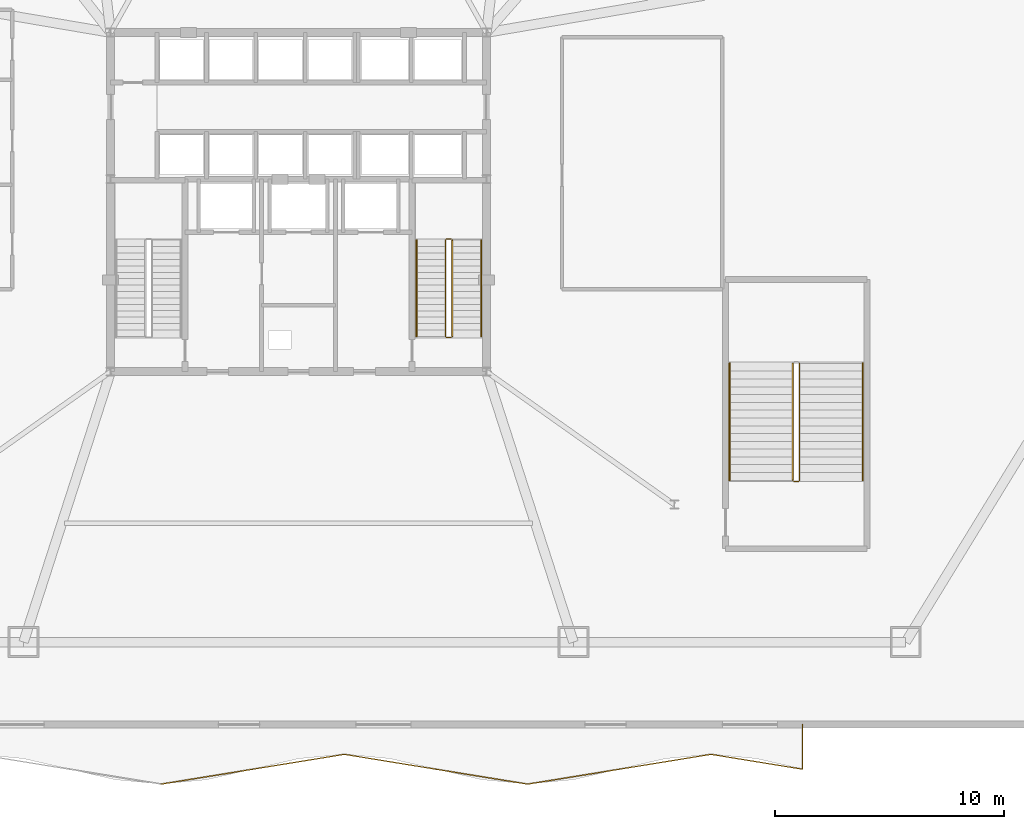
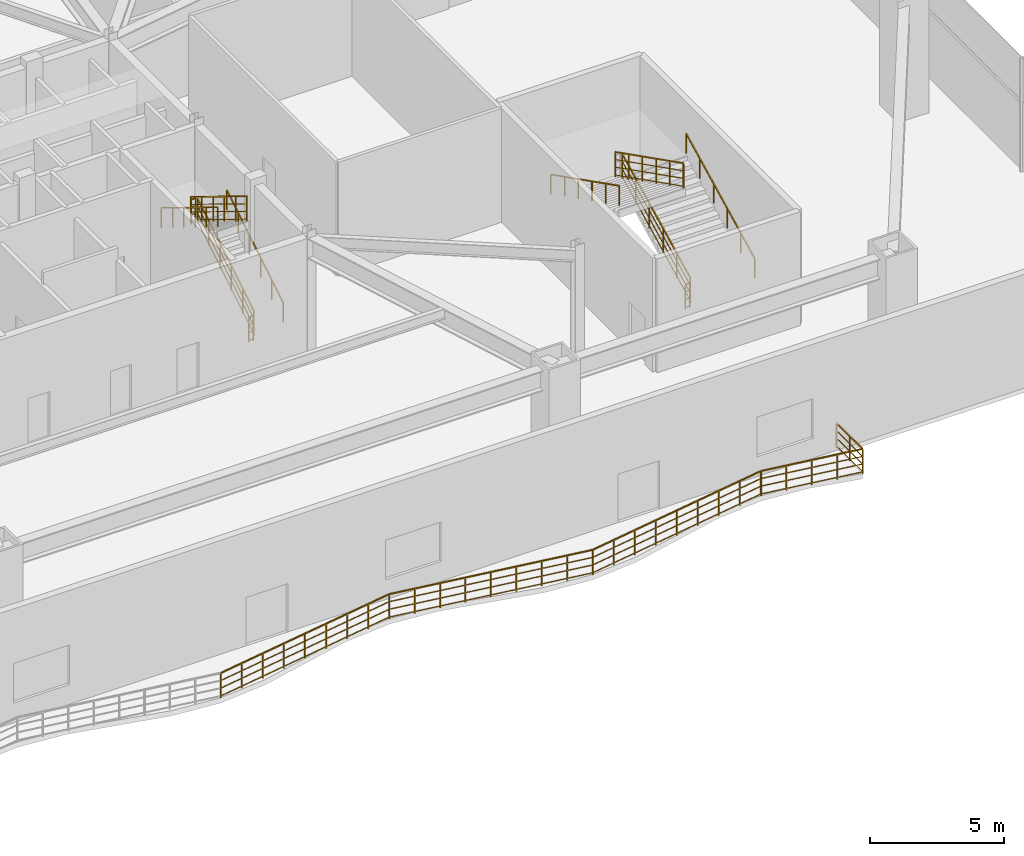
# One storey, part 17 of 20: 19 railings.
"""IFC4 building model written with IfcOpenShell, lengths in metres."""

from ifc_helpers import new_model, si_unit, direction, frame, origin, origin_2d, place, context, subcontext, project, spatial, rectangle, extrude, material, type_object, element, save


model = new_model("IFC4")

# Units and contexts
model_context = context("Model", 3, precision=1e-05, world=origin(), true_north=direction((0.0, 1.0)))
body_context = subcontext(model_context, "Body", "Model", "MODEL_VIEW")
ifc_project = project(units=[si_unit("LENGTHUNIT", "METRE"), si_unit("AREAUNIT", "SQUARE_METRE"), si_unit("VOLUMEUNIT", "CUBIC_METRE"), si_unit("PLANEANGLEUNIT", "RADIAN"), si_unit("MASSUNIT", "GRAM", prefix="KILO")], contexts=[model_context])

# Site, building, storey
site_placement = place(None, origin())
site = spatial("IfcSite", under=ifc_project, at=site_placement, CompositionType="ELEMENT")
building_placement = place(site_placement, origin())
building = spatial("IfcBuilding", under=site, at=building_placement, Name="Varakhsha Concourse Tower", CompositionType="ELEMENT")
storey_placement = place(building_placement, frame((0.0, 0.0, 11.0)))
storey = spatial("IfcBuildingStorey", under=building, at=storey_placement, Name="L03", CompositionType="ELEMENT", Elevation=11.0)

# Railings
ifc_material_1 = material(Name="Laminated Structural Low-Iron Glass 52 mm", Category="glass")
railing_type_1 = type_object("IfcRailingType", Name="RL-BALUSTRADE-1150", PredefinedType="BALUSTRADE", material=ifc_material_1)
railing_1_placement = place(storey_placement, frame((34.0, -1.60009765625, 0.0)))
element("IfcRailing", 1, at=railing_1_placement, inside=storey, type_object=railing_type_1, Name="L03 Perimeter Safety Balustrade RL-WAVE-L03-07", PredefinedType="BALUSTRADE", context=body_context, shape_type="SweptSolid", body=[
    extrude(rectangle(XDim=0.048095703125, YDim=0.048095703125, at=origin_2d()), frame((0.0, 0.0, 1.1259765625), z_axis=(0.987047011266, 0.160431286072, 0.0), x_axis=(-0.160431286072, 0.987047011266, 0.0)), (0.0, 0.0, 1.0), 4.052490234375),
    extrude(rectangle(XDim=0.028076171875, YDim=0.028076171875, at=origin_2d()), frame((0.0, 0.0, 0.080078125), z_axis=(0.987047011266, 0.160431286072, 0.0), x_axis=(-0.160431286072, 0.987047011266, 0.0)), (0.0, 0.0, 1.0), 4.052490234375),
    extrude(rectangle(XDim=0.028076171875, YDim=0.028076171875, at=origin_2d()), frame((0.0, 0.0, 0.43701171875), z_axis=(0.987047011266, 0.160431286072, 0.0), x_axis=(-0.160431286072, 0.987047011266, 0.0)), (0.0, 0.0, 1.0), 4.052490234375),
    extrude(rectangle(XDim=0.028076171875, YDim=0.028076171875, at=origin_2d()), frame((0.0, 0.0, 0.781982421875), z_axis=(0.987047011266, 0.160431286072, 0.0), x_axis=(-0.160431286072, 0.987047011266, 0.0)), (0.0, 0.0, 1.0), 4.052490234375),
    extrude(rectangle(XDim=0.0419921875, YDim=0.0419921875, at=origin_2d()), origin(), (0.0, 0.0, 1.0), 1.101806640625),
    extrude(rectangle(XDim=0.0419921875, YDim=0.0419921875, at=origin_2d()), frame((1.0, 0.16259765625, 0.0)), (0.0, 0.0, 1.0), 1.101806640625),
    extrude(rectangle(XDim=0.0419921875, YDim=0.0419921875, at=origin_2d()), frame((2.0, 0.3251953125, 0.0)), (0.0, 0.0, 1.0), 1.101806640625),
    extrude(rectangle(XDim=0.0419921875, YDim=0.0419921875, at=origin_2d()), frame((3.0, 0.487548828125, 0.0)), (0.0, 0.0, 1.0), 1.101806640625),
    extrude(rectangle(XDim=0.0419921875, YDim=0.0419921875, at=origin_2d()), frame((4.0, 0.650146484375, 0.0)), (0.0, 0.0, 1.0), 1.101806640625),
])
railing_2_placement = place(storey_placement, frame((38.0, -0.949951171875, 0.0)))
element("IfcRailing", 2, at=railing_2_placement, inside=storey, type_object=railing_type_1, Name="L03 Perimeter Safety Balustrade RL-WAVE-L03-08", PredefinedType="BALUSTRADE", context=body_context, shape_type="SweptSolid", body=[
    extrude(rectangle(XDim=0.048095703125, YDim=0.048095703125, at=origin_2d()), frame((0.0, 0.0, 1.1259765625), z_axis=(0.987056549535, 0.160372591239, 0.0), x_axis=(-0.160372591239, 0.987056549535, 0.0)), (0.0, 0.0, 1.0), 4.052490234375),
    extrude(rectangle(XDim=0.028076171875, YDim=0.028076171875, at=origin_2d()), frame((0.0, 0.0, 0.080078125), z_axis=(0.987056549535, 0.160372591239, 0.0), x_axis=(-0.160372591239, 0.987056549535, 0.0)), (0.0, 0.0, 1.0), 4.052490234375),
    extrude(rectangle(XDim=0.028076171875, YDim=0.028076171875, at=origin_2d()), frame((0.0, 0.0, 0.43701171875), z_axis=(0.987056549535, 0.160372591239, 0.0), x_axis=(-0.160372591239, 0.987056549535, 0.0)), (0.0, 0.0, 1.0), 4.052490234375),
    extrude(rectangle(XDim=0.028076171875, YDim=0.028076171875, at=origin_2d()), frame((0.0, 0.0, 0.781982421875), z_axis=(0.987056549535, 0.160372591239, 0.0), x_axis=(-0.160372591239, 0.987056549535, 0.0)), (0.0, 0.0, 1.0), 4.052490234375),
    extrude(rectangle(XDim=0.0419921875, YDim=0.0419921875, at=origin_2d()), origin(), (0.0, 0.0, 1.0), 1.101806640625),
    extrude(rectangle(XDim=0.0419921875, YDim=0.0419921875, at=origin_2d()), frame((1.0, 0.16259765625, 0.0)), (0.0, 0.0, 1.0), 1.101806640625),
    extrude(rectangle(XDim=0.0419921875, YDim=0.0419921875, at=origin_2d()), frame((2.0, 0.324951171875, 0.0)), (0.0, 0.0, 1.0), 1.101806640625),
    extrude(rectangle(XDim=0.0419921875, YDim=0.0419921875, at=origin_2d()), frame((3.0, 0.4873046875, 0.0)), (0.0, 0.0, 1.0), 1.101806640625),
    extrude(rectangle(XDim=0.0419921875, YDim=0.0419921875, at=origin_2d()), frame((4.0, 0.64990234375, 0.0)), (0.0, 0.0, 1.0), 1.101806640625),
])
railing_3_placement = place(storey_placement, frame((42.0, -0.300048828125, 0.0)))
element("IfcRailing", 3, at=railing_3_placement, inside=storey, type_object=railing_type_1, Name="L03 Perimeter Safety Balustrade RL-WAVE-L03-09", PredefinedType="BALUSTRADE", context=body_context, shape_type="SweptSolid", body=[
    extrude(rectangle(XDim=0.048095703125, YDim=0.048095703125, at=origin_2d()), frame((0.0, 0.0, 1.1259765625), z_axis=(0.987056549535, -0.160372591239, 0.0), x_axis=(0.160372591239, 0.987056549535, 0.0)), (0.0, 0.0, 1.0), 4.052490234375),
    extrude(rectangle(XDim=0.028076171875, YDim=0.028076171875, at=origin_2d()), frame((0.0, 0.0, 0.080078125), z_axis=(0.987056549535, -0.160372591239, 0.0), x_axis=(0.160372591239, 0.987056549535, 0.0)), (0.0, 0.0, 1.0), 4.052490234375),
    extrude(rectangle(XDim=0.028076171875, YDim=0.028076171875, at=origin_2d()), frame((0.0, 0.0, 0.43701171875), z_axis=(0.987056549535, -0.160372591239, 0.0), x_axis=(0.160372591239, 0.987056549535, 0.0)), (0.0, 0.0, 1.0), 4.052490234375),
    extrude(rectangle(XDim=0.028076171875, YDim=0.028076171875, at=origin_2d()), frame((0.0, 0.0, 0.781982421875), z_axis=(0.987056549535, -0.160372591239, 0.0), x_axis=(0.160372591239, 0.987056549535, 0.0)), (0.0, 0.0, 1.0), 4.052490234375),
    extrude(rectangle(XDim=0.0419921875, YDim=0.0419921875, at=origin_2d()), origin(), (0.0, 0.0, 1.0), 1.101806640625),
    extrude(rectangle(XDim=0.0419921875, YDim=0.0419921875, at=origin_2d()), frame((1.0, -0.16259765625, 0.0)), (0.0, 0.0, 1.0), 1.101806640625),
    extrude(rectangle(XDim=0.0419921875, YDim=0.0419921875, at=origin_2d()), frame((2.0, -0.324951171875, 0.0)), (0.0, 0.0, 1.0), 1.101806640625),
    extrude(rectangle(XDim=0.0419921875, YDim=0.0419921875, at=origin_2d()), frame((3.0, -0.4873046875, 0.0)), (0.0, 0.0, 1.0), 1.101806640625),
    extrude(rectangle(XDim=0.0419921875, YDim=0.0419921875, at=origin_2d()), frame((4.0, -0.64990234375, 0.0)), (0.0, 0.0, 1.0), 1.101806640625),
])
railing_4_placement = place(storey_placement, frame((46.0, -0.949951171875, 0.0)))
element("IfcRailing", 4, at=railing_4_placement, inside=storey, type_object=railing_type_1, Name="L03 Perimeter Safety Balustrade RL-WAVE-L03-10", PredefinedType="BALUSTRADE", context=body_context, shape_type="SweptSolid", body=[
    extrude(rectangle(XDim=0.048095703125, YDim=0.048095703125, at=origin_2d()), frame((0.0, 0.0, 1.1259765625), z_axis=(0.987047011266, -0.160431286072, 0.0), x_axis=(0.160431286072, 0.987047011266, 0.0)), (0.0, 0.0, 1.0), 4.052490234375),
    extrude(rectangle(XDim=0.028076171875, YDim=0.028076171875, at=origin_2d()), frame((0.0, 0.0, 0.080078125), z_axis=(0.987047011266, -0.160431286072, 0.0), x_axis=(0.160431286072, 0.987047011266, 0.0)), (0.0, 0.0, 1.0), 4.052490234375),
    extrude(rectangle(XDim=0.028076171875, YDim=0.028076171875, at=origin_2d()), frame((0.0, 0.0, 0.43701171875), z_axis=(0.987047011266, -0.160431286072, 0.0), x_axis=(0.160431286072, 0.987047011266, 0.0)), (0.0, 0.0, 1.0), 4.052490234375),
    extrude(rectangle(XDim=0.028076171875, YDim=0.028076171875, at=origin_2d()), frame((0.0, 0.0, 0.781982421875), z_axis=(0.987047011266, -0.160431286072, 0.0), x_axis=(0.160431286072, 0.987047011266, 0.0)), (0.0, 0.0, 1.0), 4.052490234375),
    extrude(rectangle(XDim=0.0419921875, YDim=0.0419921875, at=origin_2d()), origin(), (0.0, 0.0, 1.0), 1.101806640625),
    extrude(rectangle(XDim=0.0419921875, YDim=0.0419921875, at=origin_2d()), frame((1.0, -0.16259765625, 0.0)), (0.0, 0.0, 1.0), 1.101806640625),
    extrude(rectangle(XDim=0.0419921875, YDim=0.0419921875, at=origin_2d()), frame((2.0, -0.3251953125, 0.0)), (0.0, 0.0, 1.0), 1.101806640625),
    extrude(rectangle(XDim=0.0419921875, YDim=0.0419921875, at=origin_2d()), frame((3.0, -0.487548828125, 0.0)), (0.0, 0.0, 1.0), 1.101806640625),
    extrude(rectangle(XDim=0.0419921875, YDim=0.0419921875, at=origin_2d()), frame((4.0, -0.650146484375, 0.0)), (0.0, 0.0, 1.0), 1.101806640625),
])
railing_5_placement = place(storey_placement, frame((50.0, -1.60009765625, 0.0)))
element("IfcRailing", 5, at=railing_5_placement, inside=storey, type_object=railing_type_1, Name="L03 Perimeter Safety Balustrade RL-WAVE-L03-11", PredefinedType="BALUSTRADE", context=body_context, shape_type="SweptSolid", body=[
    extrude(rectangle(XDim=0.048095703125, YDim=0.048095703125, at=origin_2d()), frame((0.0, 0.0, 1.1259765625), z_axis=(0.987047011266, 0.160431286072, 0.0), x_axis=(-0.160431286072, 0.987047011266, 0.0)), (0.0, 0.0, 1.0), 4.052490234375),
    extrude(rectangle(XDim=0.028076171875, YDim=0.028076171875, at=origin_2d()), frame((0.0, 0.0, 0.080078125), z_axis=(0.987047011266, 0.160431286072, 0.0), x_axis=(-0.160431286072, 0.987047011266, 0.0)), (0.0, 0.0, 1.0), 4.052490234375),
    extrude(rectangle(XDim=0.028076171875, YDim=0.028076171875, at=origin_2d()), frame((0.0, 0.0, 0.43701171875), z_axis=(0.987047011266, 0.160431286072, 0.0), x_axis=(-0.160431286072, 0.987047011266, 0.0)), (0.0, 0.0, 1.0), 4.052490234375),
    extrude(rectangle(XDim=0.028076171875, YDim=0.028076171875, at=origin_2d()), frame((0.0, 0.0, 0.781982421875), z_axis=(0.987047011266, 0.160431286072, 0.0), x_axis=(-0.160431286072, 0.987047011266, 0.0)), (0.0, 0.0, 1.0), 4.052490234375),
    extrude(rectangle(XDim=0.0419921875, YDim=0.0419921875, at=origin_2d()), origin(), (0.0, 0.0, 1.0), 1.101806640625),
    extrude(rectangle(XDim=0.0419921875, YDim=0.0419921875, at=origin_2d()), frame((1.0, 0.16259765625, 0.0)), (0.0, 0.0, 1.0), 1.101806640625),
    extrude(rectangle(XDim=0.0419921875, YDim=0.0419921875, at=origin_2d()), frame((2.0, 0.3251953125, 0.0)), (0.0, 0.0, 1.0), 1.101806640625),
    extrude(rectangle(XDim=0.0419921875, YDim=0.0419921875, at=origin_2d()), frame((3.0, 0.487548828125, 0.0)), (0.0, 0.0, 1.0), 1.101806640625),
    extrude(rectangle(XDim=0.0419921875, YDim=0.0419921875, at=origin_2d()), frame((4.0, 0.650146484375, 0.0)), (0.0, 0.0, 1.0), 1.101806640625),
])
railing_6_placement = place(storey_placement, frame((54.0, -0.949951171875, 0.0)))
element("IfcRailing", 6, at=railing_6_placement, inside=storey, type_object=railing_type_1, Name="L03 Perimeter Safety Balustrade RL-WAVE-L03-12", PredefinedType="BALUSTRADE", context=body_context, shape_type="SweptSolid", body=[
    extrude(rectangle(XDim=0.048095703125, YDim=0.048095703125, at=origin_2d()), frame((0.0, 0.0, 1.1259765625), z_axis=(0.987056549535, 0.160372591239, 0.0), x_axis=(-0.160372591239, 0.987056549535, 0.0)), (0.0, 0.0, 1.0), 4.052490234375),
    extrude(rectangle(XDim=0.028076171875, YDim=0.028076171875, at=origin_2d()), frame((0.0, 0.0, 0.080078125), z_axis=(0.987056549535, 0.160372591239, 0.0), x_axis=(-0.160372591239, 0.987056549535, 0.0)), (0.0, 0.0, 1.0), 4.052490234375),
    extrude(rectangle(XDim=0.028076171875, YDim=0.028076171875, at=origin_2d()), frame((0.0, 0.0, 0.43701171875), z_axis=(0.987056549535, 0.160372591239, 0.0), x_axis=(-0.160372591239, 0.987056549535, 0.0)), (0.0, 0.0, 1.0), 4.052490234375),
    extrude(rectangle(XDim=0.028076171875, YDim=0.028076171875, at=origin_2d()), frame((0.0, 0.0, 0.781982421875), z_axis=(0.987056549535, 0.160372591239, 0.0), x_axis=(-0.160372591239, 0.987056549535, 0.0)), (0.0, 0.0, 1.0), 4.052490234375),
    extrude(rectangle(XDim=0.0419921875, YDim=0.0419921875, at=origin_2d()), origin(), (0.0, 0.0, 1.0), 1.101806640625),
    extrude(rectangle(XDim=0.0419921875, YDim=0.0419921875, at=origin_2d()), frame((1.0, 0.16259765625, 0.0)), (0.0, 0.0, 1.0), 1.101806640625),
    extrude(rectangle(XDim=0.0419921875, YDim=0.0419921875, at=origin_2d()), frame((2.0, 0.324951171875, 0.0)), (0.0, 0.0, 1.0), 1.101806640625),
    extrude(rectangle(XDim=0.0419921875, YDim=0.0419921875, at=origin_2d()), frame((3.0, 0.4873046875, 0.0)), (0.0, 0.0, 1.0), 1.101806640625),
    extrude(rectangle(XDim=0.0419921875, YDim=0.0419921875, at=origin_2d()), frame((4.0, 0.64990234375, 0.0)), (0.0, 0.0, 1.0), 1.101806640625),
])
railing_7_placement = place(storey_placement, frame((58.0, -0.300048828125, 0.0)))
element("IfcRailing", 7, at=railing_7_placement, inside=storey, type_object=railing_type_1, Name="L03 Perimeter Safety Balustrade RL-WAVE-L03-13", PredefinedType="BALUSTRADE", context=body_context, shape_type="SweptSolid", body=[
    extrude(rectangle(XDim=0.048095703125, YDim=0.048095703125, at=origin_2d()), frame((0.0, 0.0, 1.1259765625), z_axis=(0.987056549535, -0.160372591239, 0.0), x_axis=(0.160372591239, 0.987056549535, 0.0)), (0.0, 0.0, 1.0), 4.052490234375),
    extrude(rectangle(XDim=0.028076171875, YDim=0.028076171875, at=origin_2d()), frame((0.0, 0.0, 0.080078125), z_axis=(0.987056549535, -0.160372591239, 0.0), x_axis=(0.160372591239, 0.987056549535, 0.0)), (0.0, 0.0, 1.0), 4.052490234375),
    extrude(rectangle(XDim=0.028076171875, YDim=0.028076171875, at=origin_2d()), frame((0.0, 0.0, 0.43701171875), z_axis=(0.987056549535, -0.160372591239, 0.0), x_axis=(0.160372591239, 0.987056549535, 0.0)), (0.0, 0.0, 1.0), 4.052490234375),
    extrude(rectangle(XDim=0.028076171875, YDim=0.028076171875, at=origin_2d()), frame((0.0, 0.0, 0.781982421875), z_axis=(0.987056549535, -0.160372591239, 0.0), x_axis=(0.160372591239, 0.987056549535, 0.0)), (0.0, 0.0, 1.0), 4.052490234375),
    extrude(rectangle(XDim=0.0419921875, YDim=0.0419921875, at=origin_2d()), origin(), (0.0, 0.0, 1.0), 1.101806640625),
    extrude(rectangle(XDim=0.0419921875, YDim=0.0419921875, at=origin_2d()), frame((1.0, -0.16259765625, 0.0)), (0.0, 0.0, 1.0), 1.101806640625),
    extrude(rectangle(XDim=0.0419921875, YDim=0.0419921875, at=origin_2d()), frame((2.0, -0.324951171875, 0.0)), (0.0, 0.0, 1.0), 1.101806640625),
    extrude(rectangle(XDim=0.0419921875, YDim=0.0419921875, at=origin_2d()), frame((3.0, -0.4873046875, 0.0)), (0.0, 0.0, 1.0), 1.101806640625),
    extrude(rectangle(XDim=0.0419921875, YDim=0.0419921875, at=origin_2d()), frame((4.0, -0.64990234375, 0.0)), (0.0, 0.0, 1.0), 1.101806640625),
])
railing_8_placement = place(storey_placement, frame((62.0, -0.949951171875, 0.0)))
element("IfcRailing", 8, at=railing_8_placement, inside=storey, type_object=railing_type_1, Name="L03 Perimeter Safety Balustrade RL-WAVE-L03-14", PredefinedType="BALUSTRADE", context=body_context, shape_type="SweptSolid", body=[
    extrude(rectangle(XDim=0.048095703125, YDim=0.048095703125, at=origin_2d()), frame((0.0, 0.0, 1.1259765625), z_axis=(0.0, 1.0, 0.0), x_axis=(-1.0, 0.0, 0.0)), (0.0, 0.0, 1.0), 1.949951171875),
    extrude(rectangle(XDim=0.028076171875, YDim=0.028076171875, at=origin_2d()), frame((0.0, 0.0, 0.080078125), z_axis=(0.0, 1.0, 0.0), x_axis=(-1.0, 0.0, 0.0)), (0.0, 0.0, 1.0), 1.949951171875),
    extrude(rectangle(XDim=0.028076171875, YDim=0.028076171875, at=origin_2d()), frame((0.0, 0.0, 0.43701171875), z_axis=(0.0, 1.0, 0.0), x_axis=(-1.0, 0.0, 0.0)), (0.0, 0.0, 1.0), 1.949951171875),
    extrude(rectangle(XDim=0.028076171875, YDim=0.028076171875, at=origin_2d()), frame((0.0, 0.0, 0.781982421875), z_axis=(0.0, 1.0, 0.0), x_axis=(-1.0, 0.0, 0.0)), (0.0, 0.0, 1.0), 1.949951171875),
    extrude(rectangle(XDim=0.0419921875, YDim=0.0419921875, at=origin_2d()), origin(), (0.0, 0.0, 1.0), 1.101806640625),
    extrude(rectangle(XDim=0.0419921875, YDim=0.0419921875, at=origin_2d()), frame((0.0, 0.97509765625, 0.0)), (0.0, 0.0, 1.0), 1.101806640625),
    extrude(rectangle(XDim=0.0419921875, YDim=0.0419921875, at=origin_2d()), frame((0.0, 1.949951171875, 0.0)), (0.0, 0.0, 1.0), 1.101806640625),
])
ifc_material_2 = material(Name="Brushed Austenitic Stainless Steel AISI 316", Category="steel")
railing_type_2 = type_object("IfcRailingType", Name="RL-STAIR-GUARD-1100", PredefinedType="GUARDRAIL", material=ifc_material_2)
railing_9_placement = place(storey_placement, frame((46.7099609375, 17.93994140625, 0.171875)))
element("IfcRailing", 9, at=railing_9_placement, inside=storey, type_object=railing_type_2, Name="L03 ST2 stair guard 1", PredefinedType="GUARDRAIL", context=body_context, shape_type="SweptSolid", body=[
    extrude(rectangle(XDim=0.048095703125, YDim=0.048095703125, at=origin_2d()), frame((0.0, 0.0, 1.1259765625), z_axis=(0.0, 0.852242915053, 0.523146264196), x_axis=(-1.0, 0.0, 0.0)), (0.0, 0.0, 1.0), 4.92822265625),
    extrude(rectangle(XDim=0.028076171875, YDim=0.028076171875, at=origin_2d()), frame((0.0, 0.0, 0.080078125), z_axis=(0.0, 0.852242915053, 0.523146264196), x_axis=(-1.0, 0.0, 0.0)), (0.0, 0.0, 1.0), 4.92822265625),
    extrude(rectangle(XDim=0.028076171875, YDim=0.028076171875, at=origin_2d()), frame((0.0, 0.0, 0.43701171875), z_axis=(0.0, 0.852242915053, 0.523146264196), x_axis=(-1.0, 0.0, 0.0)), (0.0, 0.0, 1.0), 4.92822265625),
    extrude(rectangle(XDim=0.028076171875, YDim=0.028076171875, at=origin_2d()), frame((0.0, 0.0, 0.781982421875), z_axis=(0.0, 0.852242915053, 0.523146264196), x_axis=(-1.0, 0.0, 0.0)), (0.0, 0.0, 1.0), 4.92822265625),
    extrude(rectangle(XDim=0.0419921875, YDim=0.0419921875, at=origin_2d()), origin(), (0.0, 0.0, 1.0), 1.101806640625),
    extrude(rectangle(XDim=0.0419921875, YDim=0.0419921875, at=origin_2d()), frame((0.0, 0.840087890625, 0.515625)), (0.0, 0.0, 1.0), 1.101806640625),
    extrude(rectangle(XDim=0.0419921875, YDim=0.0419921875, at=origin_2d()), frame((0.0, 1.679931640625, 1.03125)), (0.0, 0.0, 1.0), 1.101806640625),
    extrude(rectangle(XDim=0.0419921875, YDim=0.0419921875, at=origin_2d()), frame((0.0, 2.52001953125, 1.546875)), (0.0, 0.0, 1.0), 1.101806640625),
    extrude(rectangle(XDim=0.0419921875, YDim=0.0419921875, at=origin_2d()), frame((0.0, 3.35986328125, 2.0625)), (0.0, 0.0, 1.0), 1.101806640625),
    extrude(rectangle(XDim=0.0419921875, YDim=0.0419921875, at=origin_2d()), frame((0.0, 4.199951171875, 2.578125)), (0.0, 0.0, 1.0), 1.101806640625),
])
railing_10_placement = place(storey_placement, frame((46.659912109375, 22.18994140625, 2.75)))
element("IfcRailing", 10, at=railing_10_placement, inside=storey, type_object=railing_type_2, Name="L03 ST2 stair guard 2", PredefinedType="GUARDRAIL", context=body_context, shape_type="SweptSolid", body=[
    extrude(rectangle(XDim=0.048095703125, YDim=0.048095703125, at=origin_2d()), frame((0.0, 0.0, 1.1259765625), z_axis=(-1.0, 0.0, 0.0), x_axis=(0.0, -1.0, 0.0)), (0.0, 0.0, 1.0), 0.199951171875),
    extrude(rectangle(XDim=0.028076171875, YDim=0.028076171875, at=origin_2d()), frame((0.0, 0.0, 0.080078125), z_axis=(-1.0, 0.0, 0.0), x_axis=(0.0, -1.0, 0.0)), (0.0, 0.0, 1.0), 0.199951171875),
    extrude(rectangle(XDim=0.028076171875, YDim=0.028076171875, at=origin_2d()), frame((0.0, 0.0, 0.43701171875), z_axis=(-1.0, 0.0, 0.0), x_axis=(0.0, -1.0, 0.0)), (0.0, 0.0, 1.0), 0.199951171875),
    extrude(rectangle(XDim=0.028076171875, YDim=0.028076171875, at=origin_2d()), frame((0.0, 0.0, 0.781982421875), z_axis=(-1.0, 0.0, 0.0), x_axis=(0.0, -1.0, 0.0)), (0.0, 0.0, 1.0), 0.199951171875),
    extrude(rectangle(XDim=0.0419921875, YDim=0.0419921875, at=origin_2d()), origin(), (0.0, 0.0, 1.0), 1.101806640625),
    extrude(rectangle(XDim=0.0419921875, YDim=0.0419921875, at=origin_2d()), frame((-0.199951171875, 0.0, 0.0)), (0.0, 0.0, 1.0), 1.101806640625),
])
railing_11_placement = place(storey_placement, frame((46.409912109375, 22.139892578125, 2.921875)))
element("IfcRailing", 11, at=railing_11_placement, inside=storey, type_object=railing_type_2, Name="L03 ST2 stair guard 3", PredefinedType="GUARDRAIL", context=body_context, shape_type="SweptSolid", body=[
    extrude(rectangle(XDim=0.048095703125, YDim=0.048095703125, at=origin_2d()), frame((0.0, 0.0, 1.1259765625), z_axis=(0.0, -0.852242915053, 0.523146264196), x_axis=(1.0, 0.0, 0.0)), (0.0, 0.0, 1.0), 4.92822265625),
    extrude(rectangle(XDim=0.028076171875, YDim=0.028076171875, at=origin_2d()), frame((0.0, 0.0, 0.080078125), z_axis=(0.0, -0.852242915053, 0.523146264196), x_axis=(1.0, 0.0, 0.0)), (0.0, 0.0, 1.0), 4.92822265625),
    extrude(rectangle(XDim=0.028076171875, YDim=0.028076171875, at=origin_2d()), frame((0.0, 0.0, 0.43701171875), z_axis=(0.0, -0.852242915053, 0.523146264196), x_axis=(1.0, 0.0, 0.0)), (0.0, 0.0, 1.0), 4.92822265625),
    extrude(rectangle(XDim=0.028076171875, YDim=0.028076171875, at=origin_2d()), frame((0.0, 0.0, 0.781982421875), z_axis=(0.0, -0.852242915053, 0.523146264196), x_axis=(1.0, 0.0, 0.0)), (0.0, 0.0, 1.0), 4.92822265625),
    extrude(rectangle(XDim=0.0419921875, YDim=0.0419921875, at=origin_2d()), origin(), (0.0, 0.0, 1.0), 1.101806640625),
    extrude(rectangle(XDim=0.0419921875, YDim=0.0419921875, at=origin_2d()), frame((0.0, -0.840087890625, 0.515625)), (0.0, 0.0, 1.0), 1.101806640625),
    extrude(rectangle(XDim=0.0419921875, YDim=0.0419921875, at=origin_2d()), frame((0.0, -1.679931640625, 1.03125)), (0.0, 0.0, 1.0), 1.101806640625),
    extrude(rectangle(XDim=0.0419921875, YDim=0.0419921875, at=origin_2d()), frame((0.0, -2.52001953125, 1.546875)), (0.0, 0.0, 1.0), 1.101806640625),
    extrude(rectangle(XDim=0.0419921875, YDim=0.0419921875, at=origin_2d()), frame((0.0, -3.35986328125, 2.0625)), (0.0, 0.0, 1.0), 1.101806640625),
    extrude(rectangle(XDim=0.0419921875, YDim=0.0419921875, at=origin_2d()), frame((0.0, -4.199951171875, 2.578125)), (0.0, 0.0, 1.0), 1.101806640625),
])
railing_12_placement = place(storey_placement, frame((46.659912109375, 17.889892578125, 0.0)))
element("IfcRailing", 12, at=railing_12_placement, inside=storey, type_object=railing_type_2, Name="L03 ST2 stair guard 4", PredefinedType="GUARDRAIL", context=body_context, shape_type="SweptSolid", body=[
    extrude(rectangle(XDim=0.048095703125, YDim=0.048095703125, at=origin_2d()), frame((0.0, 0.0, 1.1259765625), z_axis=(-1.0, 0.0, 0.0), x_axis=(0.0, -1.0, 0.0)), (0.0, 0.0, 1.0), 0.199951171875),
    extrude(rectangle(XDim=0.028076171875, YDim=0.028076171875, at=origin_2d()), frame((0.0, 0.0, 0.080078125), z_axis=(-1.0, 0.0, 0.0), x_axis=(0.0, -1.0, 0.0)), (0.0, 0.0, 1.0), 0.199951171875),
    extrude(rectangle(XDim=0.028076171875, YDim=0.028076171875, at=origin_2d()), frame((0.0, 0.0, 0.43701171875), z_axis=(-1.0, 0.0, 0.0), x_axis=(0.0, -1.0, 0.0)), (0.0, 0.0, 1.0), 0.199951171875),
    extrude(rectangle(XDim=0.028076171875, YDim=0.028076171875, at=origin_2d()), frame((0.0, 0.0, 0.781982421875), z_axis=(-1.0, 0.0, 0.0), x_axis=(0.0, -1.0, 0.0)), (0.0, 0.0, 1.0), 0.199951171875),
    extrude(rectangle(XDim=0.0419921875, YDim=0.0419921875, at=origin_2d()), origin(), (0.0, 0.0, 1.0), 1.101806640625),
    extrude(rectangle(XDim=0.0419921875, YDim=0.0419921875, at=origin_2d()), frame((-0.199951171875, 0.0, 0.0)), (0.0, 0.0, 1.0), 1.101806640625),
])
railing_13_placement = place(storey_placement, frame((61.8701171875, 11.659912109375, 0.171875)))
element("IfcRailing", 13, at=railing_13_placement, inside=storey, type_object=railing_type_2, Name="L03 ST4 stair guard 1", PredefinedType="GUARDRAIL", context=body_context, shape_type="SweptSolid", body=[
    extrude(rectangle(XDim=0.048095703125, YDim=0.048095703125, at=origin_2d()), frame((0.0, 0.0, 1.1259765625), z_axis=(0.0, 0.892453363607, 0.451139661067), x_axis=(-1.0, 0.0, 0.0)), (0.0, 0.0, 1.0), 5.714599609375),
    extrude(rectangle(XDim=0.028076171875, YDim=0.028076171875, at=origin_2d()), frame((0.0, 0.0, 0.080078125), z_axis=(0.0, 0.892453363607, 0.451139661067), x_axis=(-1.0, 0.0, 0.0)), (0.0, 0.0, 1.0), 5.714599609375),
    extrude(rectangle(XDim=0.028076171875, YDim=0.028076171875, at=origin_2d()), frame((0.0, 0.0, 0.43701171875), z_axis=(0.0, 0.892453363607, 0.451139661067), x_axis=(-1.0, 0.0, 0.0)), (0.0, 0.0, 1.0), 5.714599609375),
    extrude(rectangle(XDim=0.028076171875, YDim=0.028076171875, at=origin_2d()), frame((0.0, 0.0, 0.781982421875), z_axis=(0.0, 0.892453363607, 0.451139661067), x_axis=(-1.0, 0.0, 0.0)), (0.0, 0.0, 1.0), 5.714599609375),
    extrude(rectangle(XDim=0.0419921875, YDim=0.0419921875, at=origin_2d()), origin(), (0.0, 0.0, 1.0), 1.101806640625),
    extrude(rectangle(XDim=0.0419921875, YDim=0.0419921875, at=origin_2d()), frame((0.0, 1.02001953125, 0.515625)), (0.0, 0.0, 1.0), 1.101806640625),
    extrude(rectangle(XDim=0.0419921875, YDim=0.0419921875, at=origin_2d()), frame((0.0, 2.0400390625, 1.03125)), (0.0, 0.0, 1.0), 1.101806640625),
    extrude(rectangle(XDim=0.0419921875, YDim=0.0419921875, at=origin_2d()), frame((0.0, 3.06005859375, 1.546875)), (0.0, 0.0, 1.0), 1.101806640625),
    extrude(rectangle(XDim=0.0419921875, YDim=0.0419921875, at=origin_2d()), frame((0.0, 4.080078125, 2.0625)), (0.0, 0.0, 1.0), 1.101806640625),
    extrude(rectangle(XDim=0.0419921875, YDim=0.0419921875, at=origin_2d()), frame((0.0, 5.10009765625, 2.578125)), (0.0, 0.0, 1.0), 1.101806640625),
])
railing_14_placement = place(storey_placement, frame((61.570068359375, 16.760009765625, 2.921875)))
element("IfcRailing", 14, at=railing_14_placement, inside=storey, type_object=railing_type_2, Name="L03 ST4 stair guard 3", PredefinedType="GUARDRAIL", context=body_context, shape_type="SweptSolid", body=[
    extrude(rectangle(XDim=0.048095703125, YDim=0.048095703125, at=origin_2d()), frame((0.0, 0.0, 1.1259765625), z_axis=(0.0, -0.892453363607, 0.451139661067), x_axis=(1.0, 0.0, 0.0)), (0.0, 0.0, 1.0), 5.714599609375),
    extrude(rectangle(XDim=0.028076171875, YDim=0.028076171875, at=origin_2d()), frame((0.0, 0.0, 0.080078125), z_axis=(0.0, -0.892453363607, 0.451139661067), x_axis=(1.0, 0.0, 0.0)), (0.0, 0.0, 1.0), 5.714599609375),
    extrude(rectangle(XDim=0.028076171875, YDim=0.028076171875, at=origin_2d()), frame((0.0, 0.0, 0.43701171875), z_axis=(0.0, -0.892453363607, 0.451139661067), x_axis=(1.0, 0.0, 0.0)), (0.0, 0.0, 1.0), 5.714599609375),
    extrude(rectangle(XDim=0.028076171875, YDim=0.028076171875, at=origin_2d()), frame((0.0, 0.0, 0.781982421875), z_axis=(0.0, -0.892453363607, 0.451139661067), x_axis=(1.0, 0.0, 0.0)), (0.0, 0.0, 1.0), 5.714599609375),
    extrude(rectangle(XDim=0.0419921875, YDim=0.0419921875, at=origin_2d()), origin(), (0.0, 0.0, 1.0), 1.101806640625),
    extrude(rectangle(XDim=0.0419921875, YDim=0.0419921875, at=origin_2d()), frame((0.0, -1.02001953125, 0.515625)), (0.0, 0.0, 1.0), 1.101806640625),
    extrude(rectangle(XDim=0.0419921875, YDim=0.0419921875, at=origin_2d()), frame((0.0, -2.0400390625, 1.03125)), (0.0, 0.0, 1.0), 1.101806640625),
    extrude(rectangle(XDim=0.0419921875, YDim=0.0419921875, at=origin_2d()), frame((0.0, -3.06005859375, 1.546875)), (0.0, 0.0, 1.0), 1.101806640625),
    extrude(rectangle(XDim=0.0419921875, YDim=0.0419921875, at=origin_2d()), frame((0.0, -4.080078125, 2.0625)), (0.0, 0.0, 1.0), 1.101806640625),
    extrude(rectangle(XDim=0.0419921875, YDim=0.0419921875, at=origin_2d()), frame((0.0, -5.10009765625, 2.578125)), (0.0, 0.0, 1.0), 1.101806640625),
])
railing_15_placement = place(storey_placement, frame((61.820068359375, 11.610107421875, 0.0)))
element("IfcRailing", 15, at=railing_15_placement, inside=storey, type_object=railing_type_2, Name="L03 ST4 stair guard 4", PredefinedType="GUARDRAIL", context=body_context, shape_type="SweptSolid", body=[
    extrude(rectangle(XDim=0.048095703125, YDim=0.048095703125, at=origin_2d()), frame((0.0, 0.0, 1.1259765625), z_axis=(-1.0, 0.0, 0.0), x_axis=(0.0, -1.0, 0.0)), (0.0, 0.0, 1.0), 0.199951171875),
    extrude(rectangle(XDim=0.028076171875, YDim=0.028076171875, at=origin_2d()), frame((0.0, 0.0, 0.080078125), z_axis=(-1.0, 0.0, 0.0), x_axis=(0.0, -1.0, 0.0)), (0.0, 0.0, 1.0), 0.199951171875),
    extrude(rectangle(XDim=0.028076171875, YDim=0.028076171875, at=origin_2d()), frame((0.0, 0.0, 0.43701171875), z_axis=(-1.0, 0.0, 0.0), x_axis=(0.0, -1.0, 0.0)), (0.0, 0.0, 1.0), 0.199951171875),
    extrude(rectangle(XDim=0.028076171875, YDim=0.028076171875, at=origin_2d()), frame((0.0, 0.0, 0.781982421875), z_axis=(-1.0, 0.0, 0.0), x_axis=(0.0, -1.0, 0.0)), (0.0, 0.0, 1.0), 0.199951171875),
    extrude(rectangle(XDim=0.0419921875, YDim=0.0419921875, at=origin_2d()), origin(), (0.0, 0.0, 1.0), 1.101806640625),
    extrude(rectangle(XDim=0.0419921875, YDim=0.0419921875, at=origin_2d()), frame((-0.199951171875, 0.0, 0.0)), (0.0, 0.0, 1.0), 1.101806640625),
])
railing_type_3 = type_object("IfcRailingType", Name="RL-STAIR-RAIL-915", PredefinedType="HANDRAIL", material=ifc_material_2)
railing_16_placement = place(storey_placement, frame((47.969970703125, 17.93994140625, 0.34375)))
element("IfcRailing", 16, at=railing_16_placement, inside=storey, type_object=railing_type_3, Name="L03 ST2 stair handrail 1", PredefinedType="HANDRAIL", context=body_context, shape_type="SweptSolid", body=[
    extrude(rectangle(XDim=0.048095703125, YDim=0.048095703125, at=origin_2d()), frame((0.0, 0.0, 0.89111328125), z_axis=(0.0, 0.852242915053, 0.523146264196), x_axis=(-1.0, 0.0, 0.0)), (0.0, 0.0, 1.0), 4.92822265625),
    extrude(rectangle(XDim=0.0419921875, YDim=0.0419921875, at=origin_2d()), origin(), (0.0, 0.0, 1.0), 0.866943359375),
    extrude(rectangle(XDim=0.0419921875, YDim=0.0419921875, at=origin_2d()), frame((0.0, 0.840087890625, 0.515625)), (0.0, 0.0, 1.0), 0.866943359375),
    extrude(rectangle(XDim=0.0419921875, YDim=0.0419921875, at=origin_2d()), frame((0.0, 1.679931640625, 1.03125)), (0.0, 0.0, 1.0), 0.866943359375),
    extrude(rectangle(XDim=0.0419921875, YDim=0.0419921875, at=origin_2d()), frame((0.0, 2.52001953125, 1.546875)), (0.0, 0.0, 1.0), 0.866943359375),
    extrude(rectangle(XDim=0.0419921875, YDim=0.0419921875, at=origin_2d()), frame((0.0, 3.35986328125, 2.0625)), (0.0, 0.0, 1.0), 0.866943359375),
    extrude(rectangle(XDim=0.0419921875, YDim=0.0419921875, at=origin_2d()), frame((0.0, 4.199951171875, 2.578125)), (0.0, 0.0, 1.0), 0.866943359375),
])
railing_17_placement = place(storey_placement, frame((45.14990234375, 22.139892578125, 3.09375)))
element("IfcRailing", 17, at=railing_17_placement, inside=storey, type_object=railing_type_3, Name="L03 ST2 stair handrail 2", PredefinedType="HANDRAIL", context=body_context, shape_type="SweptSolid", body=[
    extrude(rectangle(XDim=0.048095703125, YDim=0.048095703125, at=origin_2d()), frame((0.0, 0.0, 0.89111328125), z_axis=(0.0, -0.852242915053, 0.523146264196), x_axis=(1.0, 0.0, 0.0)), (0.0, 0.0, 1.0), 4.92822265625),
    extrude(rectangle(XDim=0.0419921875, YDim=0.0419921875, at=origin_2d()), origin(), (0.0, 0.0, 1.0), 0.866943359375),
    extrude(rectangle(XDim=0.0419921875, YDim=0.0419921875, at=origin_2d()), frame((0.0, -0.840087890625, 0.515625)), (0.0, 0.0, 1.0), 0.866943359375),
    extrude(rectangle(XDim=0.0419921875, YDim=0.0419921875, at=origin_2d()), frame((0.0, -1.679931640625, 1.03125)), (0.0, 0.0, 1.0), 0.866943359375),
    extrude(rectangle(XDim=0.0419921875, YDim=0.0419921875, at=origin_2d()), frame((0.0, -2.52001953125, 1.546875)), (0.0, 0.0, 1.0), 0.866943359375),
    extrude(rectangle(XDim=0.0419921875, YDim=0.0419921875, at=origin_2d()), frame((0.0, -3.35986328125, 2.0625)), (0.0, 0.0, 1.0), 0.866943359375),
    extrude(rectangle(XDim=0.0419921875, YDim=0.0419921875, at=origin_2d()), frame((0.0, -4.199951171875, 2.578125)), (0.0, 0.0, 1.0), 0.866943359375),
])
railing_18_placement = place(storey_placement, frame((64.6298828125, 11.659912109375, 0.34375)))
element("IfcRailing", 18, at=railing_18_placement, inside=storey, type_object=railing_type_3, Name="L03 ST4 stair handrail 1", PredefinedType="HANDRAIL", context=body_context, shape_type="SweptSolid", body=[
    extrude(rectangle(XDim=0.048095703125, YDim=0.048095703125, at=origin_2d()), frame((0.0, 0.0, 0.89111328125), z_axis=(0.0, 0.892453363607, 0.451139661067), x_axis=(-1.0, 0.0, 0.0)), (0.0, 0.0, 1.0), 5.714599609375),
    extrude(rectangle(XDim=0.0419921875, YDim=0.0419921875, at=origin_2d()), origin(), (0.0, 0.0, 1.0), 0.866943359375),
    extrude(rectangle(XDim=0.0419921875, YDim=0.0419921875, at=origin_2d()), frame((0.0, 1.02001953125, 0.515625)), (0.0, 0.0, 1.0), 0.866943359375),
    extrude(rectangle(XDim=0.0419921875, YDim=0.0419921875, at=origin_2d()), frame((0.0, 2.0400390625, 1.03125)), (0.0, 0.0, 1.0), 0.866943359375),
    extrude(rectangle(XDim=0.0419921875, YDim=0.0419921875, at=origin_2d()), frame((0.0, 3.06005859375, 1.546875)), (0.0, 0.0, 1.0), 0.866943359375),
    extrude(rectangle(XDim=0.0419921875, YDim=0.0419921875, at=origin_2d()), frame((0.0, 4.080078125, 2.0625)), (0.0, 0.0, 1.0), 0.866943359375),
    extrude(rectangle(XDim=0.0419921875, YDim=0.0419921875, at=origin_2d()), frame((0.0, 5.10009765625, 2.578125)), (0.0, 0.0, 1.0), 0.866943359375),
])
railing_19_placement = place(storey_placement, frame((58.81005859375, 16.760009765625, 3.09375)))
element("IfcRailing", 19, at=railing_19_placement, inside=storey, type_object=railing_type_3, Name="L03 ST4 stair handrail 2", PredefinedType="HANDRAIL", context=body_context, shape_type="SweptSolid", body=[
    extrude(rectangle(XDim=0.048095703125, YDim=0.048095703125, at=origin_2d()), frame((0.0, 0.0, 0.89111328125), z_axis=(0.0, -0.892453363607, 0.451139661067), x_axis=(1.0, 0.0, 0.0)), (0.0, 0.0, 1.0), 5.714599609375),
    extrude(rectangle(XDim=0.0419921875, YDim=0.0419921875, at=origin_2d()), origin(), (0.0, 0.0, 1.0), 0.866943359375),
    extrude(rectangle(XDim=0.0419921875, YDim=0.0419921875, at=origin_2d()), frame((0.0, -1.02001953125, 0.515625)), (0.0, 0.0, 1.0), 0.866943359375),
    extrude(rectangle(XDim=0.0419921875, YDim=0.0419921875, at=origin_2d()), frame((0.0, -2.0400390625, 1.03125)), (0.0, 0.0, 1.0), 0.866943359375),
    extrude(rectangle(XDim=0.0419921875, YDim=0.0419921875, at=origin_2d()), frame((0.0, -3.06005859375, 1.546875)), (0.0, 0.0, 1.0), 0.866943359375),
    extrude(rectangle(XDim=0.0419921875, YDim=0.0419921875, at=origin_2d()), frame((0.0, -4.080078125, 2.0625)), (0.0, 0.0, 1.0), 0.866943359375),
    extrude(rectangle(XDim=0.0419921875, YDim=0.0419921875, at=origin_2d()), frame((0.0, -5.10009765625, 2.578125)), (0.0, 0.0, 1.0), 0.866943359375),
])

save(model, "model.ifc")
